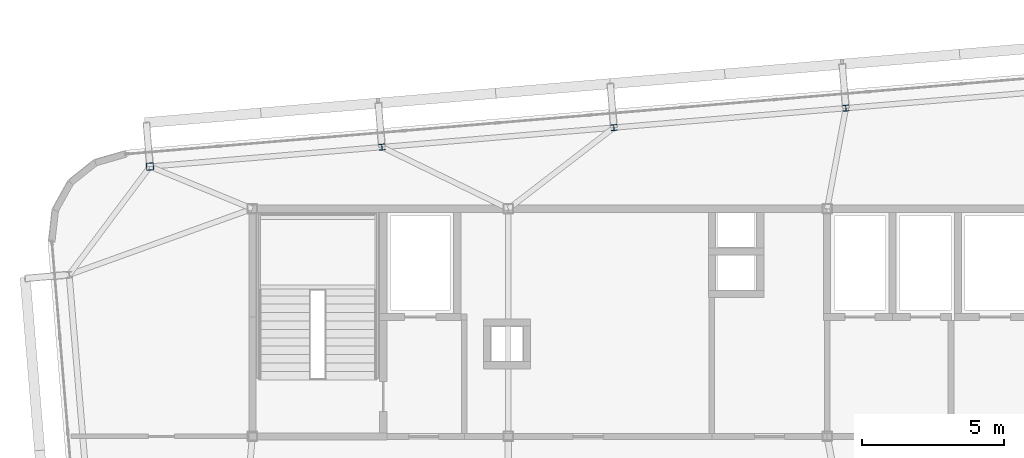
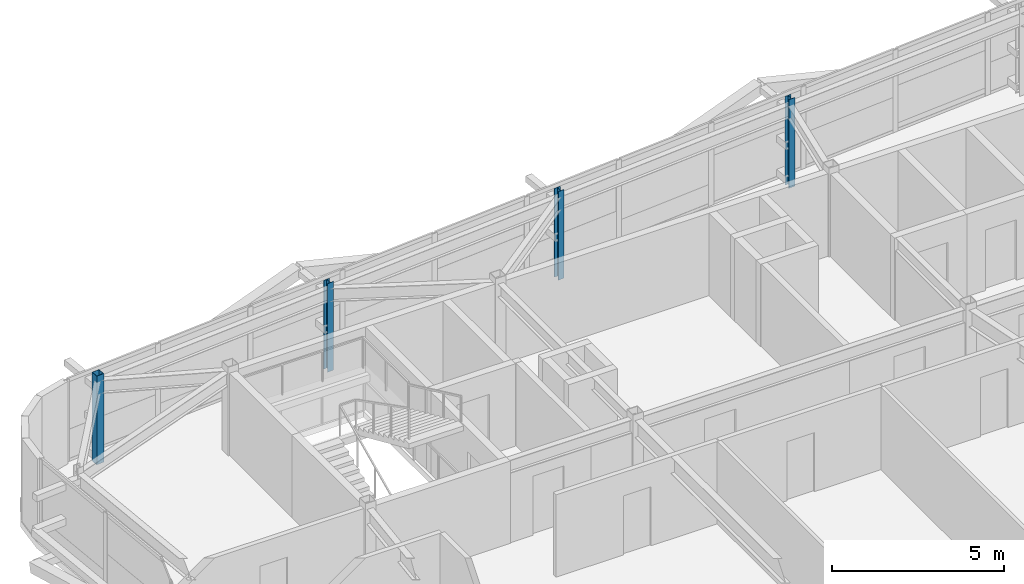
# One storey, part 5 of 46: 4 columns.
"""IFC4 building model written with IfcOpenShell, lengths in metres."""

from ifc_helpers import new_model, si_unit, direction, frame, origin, origin_2d, place, context, subcontext, project, spatial, hollow_rectangle, i_section, extrude, source, transform, mapped, material, material_profile, profile_set, type_object, element, save


model = new_model("IFC4")

# Units and contexts
model_context = context("Model", 3, precision=1e-05, world=origin(), true_north=direction((0.0, 1.0)))
body_context = subcontext(model_context, "Body", "Model", "MODEL_VIEW")
ifc_project = project(units=[si_unit("LENGTHUNIT", "METRE"), si_unit("AREAUNIT", "SQUARE_METRE"), si_unit("VOLUMEUNIT", "CUBIC_METRE"), si_unit("PLANEANGLEUNIT", "RADIAN"), si_unit("MASSUNIT", "GRAM", prefix="KILO")], contexts=[model_context])

# Site, building, storey
site_placement = place(None, origin())
site = spatial("IfcSite", under=ifc_project, at=site_placement, CompositionType="ELEMENT")
building_placement = place(site_placement, origin())
building = spatial("IfcBuilding", under=site, at=building_placement, Name="Taldren Reach Tower", CompositionType="ELEMENT")
storey_placement = place(building_placement, frame((0.0, 0.0, 185.14990234375)))
storey = spatial("IfcBuildingStorey", under=building, at=storey_placement, Name="L56", CompositionType="ELEMENT", Elevation=185.14990234375)

# Columns
ifc_material_1 = material(Name="Steel Gr 350 (C350L0)", Category="steel")
ifc_material_profile_1 = material_profile(ifc_material_1, hollow_rectangle(XDim=0.25, YDim=0.25, WallThickness=0.010009765625, at=origin_2d()), Name="250x250x10.0SHS")
ifc_profile_set_1 = profile_set([ifc_material_profile_1], Name="Steel Gr 350 (C350L0)")
column_type_1 = type_object("IfcColumnType", Name="COL-SHS250", PredefinedType="COLUMN", material=ifc_profile_set_1)
shared_shape_1 = source(origin(), body_context, "Body", "SweptSolid", [
    extrude(hollow_rectangle(XDim=0.25, YDim=0.25, WallThickness=0.010009765625, at=origin_2d()), origin(), (0.0, 0.0, 1.0), 3.150146484375),
])
column_placement = place(storey_placement, frame((15.40380859375, 33.483642578125, 0.0), z_axis=(0.0, 0.0, 1.0), x_axis=(0.99649285925, 0.083677843332, 0.0)))
element("IfcColumn", 1, at=column_placement, inside=storey, type_object=column_type_1, Name="Block B4 perimeter column N1 L56", PredefinedType="COLUMN", context=body_context, shape_type="MappedRepresentation", body=[
    mapped(shared_shape_1, transform((0.0, 0.0, 0.0), scale=1.0)),
])
ifc_material_2 = material(Name="Steel Gr 350 (350PLUS)", Category="steel")
ifc_material_profile_2 = material_profile(ifc_material_2, i_section(OverallWidth=0.205078125, OverallDepth=0.2099609375, WebThickness=0.00927734375, FlangeThickness=0.01416015625, at=origin_2d()), Name="200UC59.5")
ifc_profile_set_2 = profile_set([ifc_material_profile_2], Name="Steel Gr 350 (350PLUS)")
column_type_2 = type_object("IfcColumnType", Name="COL-UC200", PredefinedType="COLUMN", material=ifc_profile_set_2)
shared_shape_2 = source(origin(), body_context, "Body", "SweptSolid", [
    extrude(i_section(OverallWidth=0.205078125, OverallDepth=0.2099609375, WebThickness=0.00927734375, FlangeThickness=0.01416015625, at=origin_2d()), origin(), (0.0, 0.0, 1.0), 3.150146484375),
])
for number, where, z_axis, x_axis, name in (
    (2, (23.55517578125, 34.16796875, 0.0), (0.0, 0.0, 1.0), (0.99649285925, 0.083677843332, 0.0), "Block B4 perimeter column N2 L56"),
    (3, (31.706298828125, 34.8525390625, 0.0), (0.0, 0.0, 1.0), (0.99649285925, 0.083677843332, 0.0), "Block B4 perimeter column N3 L56"),
    (4, (39.857666015625, 35.537109375, 0.0), (0.0, 0.0, 1.0), (0.99649285925, 0.083677843332, 0.0), "Block B4 perimeter column N4 L56"),
):
    element("IfcColumn", number, at=place(storey_placement, frame(where, z_axis=z_axis, x_axis=x_axis)), inside=storey, type_object=column_type_2, Name=name, PredefinedType="COLUMN", context=body_context, shape_type="MappedRepresentation", body=[
        mapped(shared_shape_2, transform((0.0, 0.0, 0.0), scale=1.0)),
    ])

save(model, "model.ifc")
